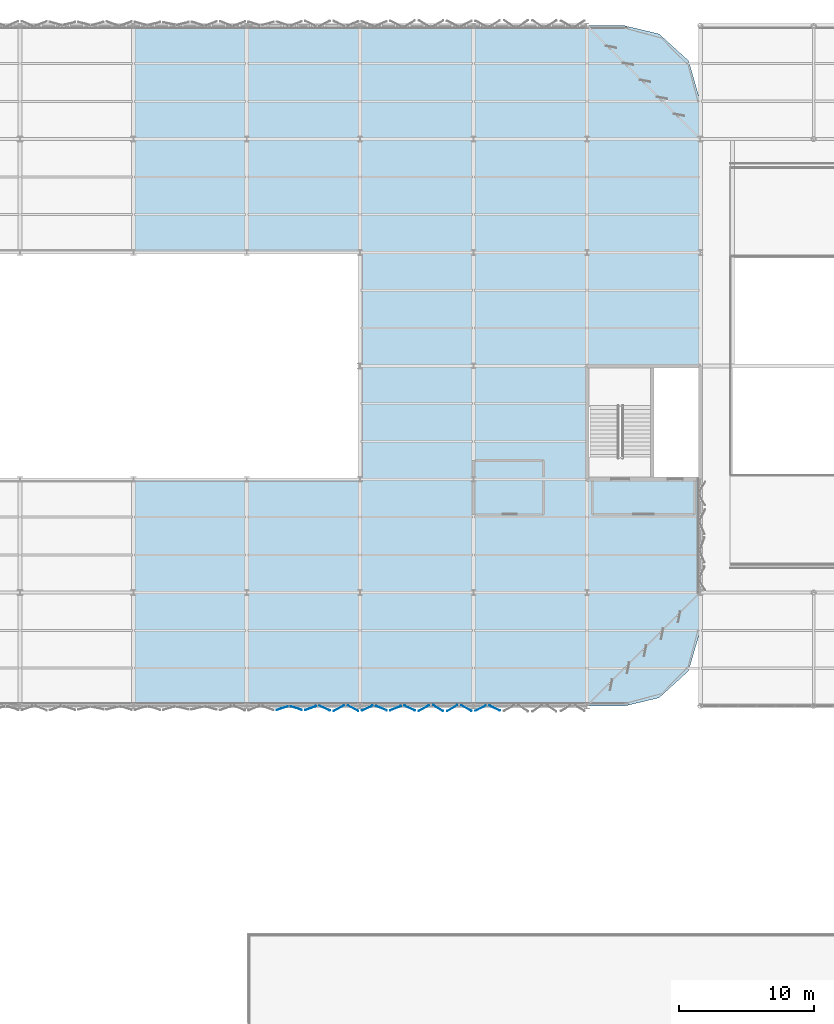
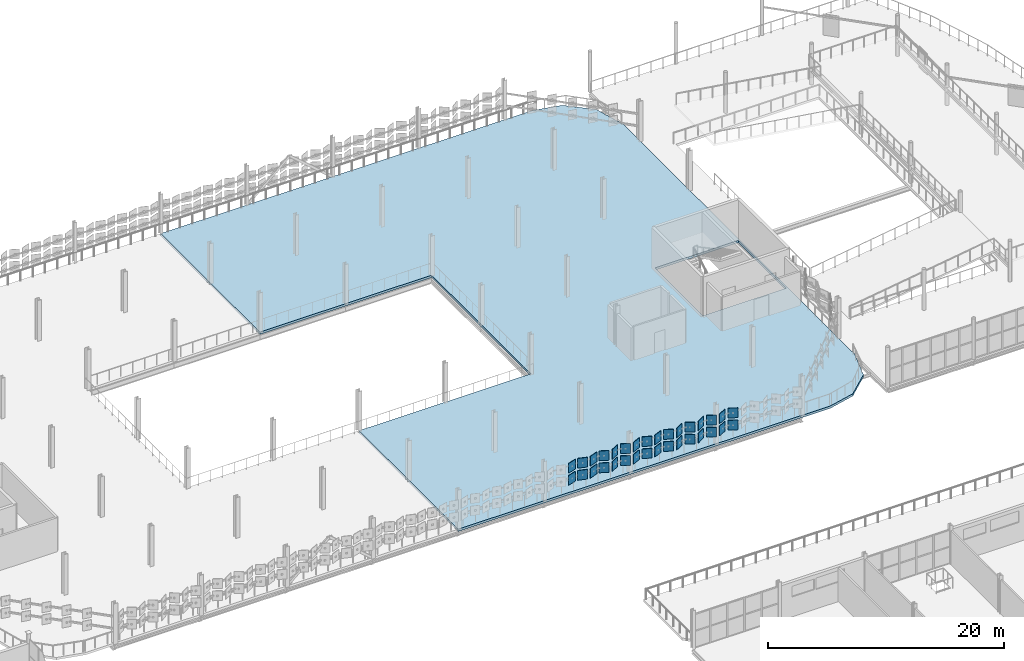
# One storey, part 145 of 184: 32 plates, 1 slab.
"""IFC4 building model written with IfcOpenShell, lengths in metres."""

from ifc_helpers import new_model, si_unit, direction, frame, origin, origin_2d, place, context, subcontext, project, spatial, polyline, rectangle, outline, extrude, material, layer, layer_set, type_object, element, save


model = new_model("IFC4")

# Units and contexts
model_context = context("Model", 3, precision=1e-05, world=origin(), true_north=direction((0.0, 1.0)))
body_context = subcontext(model_context, "Body", "Model", "MODEL_VIEW")
ifc_project = project(units=[si_unit("LENGTHUNIT", "METRE"), si_unit("AREAUNIT", "SQUARE_METRE"), si_unit("VOLUMEUNIT", "CUBIC_METRE"), si_unit("PLANEANGLEUNIT", "RADIAN"), si_unit("MASSUNIT", "GRAM", prefix="KILO")], contexts=[model_context])

# Site, building, storey
site_placement = place(None, origin())
site = spatial("IfcSite", under=ifc_project, at=site_placement, CompositionType="ELEMENT")
building_placement = place(site_placement, origin())
building = spatial("IfcBuilding", under=site, at=building_placement, Name="Qalvenar Corner Mobility Hub", CompositionType="ELEMENT")
storey_placement = place(building_placement, frame((0.0, 0.0, 9.0)))
storey = spatial("IfcBuildingStorey", under=building, at=storey_placement, Name="L02", CompositionType="ELEMENT", Elevation=9.0)

# Plates
ifc_material_1 = material(Name="Amber-Bronze Anodised Aluminium", Category="aluminium")
ifc_layer_1 = layer(ifc_material_1, 0.0380859375)
ifc_layer_set_1 = layer_set([ifc_layer_1], Name="Amber-Bronze Anodised Aluminium")
plate_type = type_object("IfcPlateType", Name="PLT-XC-L2-STD", PredefinedType="SHEET", material=ifc_layer_set_1)
for number, where, z_axis, x_axis, name in (
    (1, (111.824951171875, 67.0400390625, 1.0), (0.0, 0.0, 1.0), (0.951862260753, 0.306526078098, 0.0), "Hinged Facade Panel FP-L02-0445"),
    (2, (111.824951171875, 67.0400390625, 2.25), (0.0, 0.0, 1.0), (0.951862260753, 0.306526078098, 0.0), "Hinged Facade Panel FP-L02-0446"),
    (3, (112.875, 67.0400390625, 1.0), (0.0, 0.0, 1.0), (0.953348857629, -0.301870759858, 0.0), "Hinged Facade Panel FP-L02-0447"),
    (4, (112.875, 67.0400390625, 2.25), (0.0, 0.0, 1.0), (0.953348857629, -0.301870759858, 0.0), "Hinged Facade Panel FP-L02-0448"),
    (5, (113.925048828125, 67.0400390625, 1.0), (0.0, 0.0, 1.0), (0.938070461122, 0.346444526541, 0.0), "Hinged Facade Panel FP-L02-0449"),
    (6, (113.925048828125, 67.0400390625, 2.25), (0.0, 0.0, 1.0), (0.938070461122, 0.346444526541, 0.0), "Hinged Facade Panel FP-L02-0450"),
    (7, (114.97509765625, 67.0400390625, 1.0), (0.0, 0.0, 1.0), (0.910899836935, -0.412627540369, 0.0), "Hinged Facade Panel FP-L02-0451"),
    (8, (114.97509765625, 67.0400390625, 2.25), (0.0, 0.0, 1.0), (0.910899836935, -0.412627540369, 0.0), "Hinged Facade Panel FP-L02-0452"),
    (9, (116.02490234375, 67.0400390625, 1.0), (0.0, 0.0, 1.0), (0.889017141486, 0.457873915117, 0.0), "Hinged Facade Panel FP-L02-0453"),
    (10, (116.02490234375, 67.0400390625, 2.25), (0.0, 0.0, 1.0), (0.889017141486, 0.457873915117, 0.0), "Hinged Facade Panel FP-L02-0454"),
    (11, (117.074951171875, 67.0400390625, 1.0), (0.0, 0.0, 1.0), (0.889496138383, -0.456942687656, 0.0), "Hinged Facade Panel FP-L02-0455"),
    (12, (117.074951171875, 67.0400390625, 2.25), (0.0, 0.0, 1.0), (0.889496138383, -0.456942687656, 0.0), "Hinged Facade Panel FP-L02-0456"),
    (13, (118.125, 67.0400390625, 1.0), (0.0, 0.0, 1.0), (0.908362259055, 0.418184177516, 0.0), "Hinged Facade Panel FP-L02-0457"),
    (14, (118.125, 67.0400390625, 2.25), (0.0, 0.0, 1.0), (0.908362259055, 0.418184177516, 0.0), "Hinged Facade Panel FP-L02-0458"),
    (15, (119.175048828125, 67.0400390625, 1.0), (0.0, 0.0, 1.0), (0.926002419716, -0.377517574003, 0.0), "Hinged Facade Panel FP-L02-0459"),
    (16, (119.175048828125, 67.0400390625, 2.25), (0.0, 0.0, 1.0), (0.926002419716, -0.377517574003, 0.0), "Hinged Facade Panel FP-L02-0460"),
    (17, (120.22509765625, 67.0400390625, 1.0), (0.0, 0.0, 1.0), (0.927445153335, 0.373959205738, 0.0), "Hinged Facade Panel FP-L02-0461"),
    (18, (120.22509765625, 67.0400390625, 2.25), (0.0, 0.0, 1.0), (0.927445153335, 0.373959205738, 0.0), "Hinged Facade Panel FP-L02-0462"),
    (19, (121.27490234375, 67.0400390625, 1.0), (0.0, 0.0, 1.0), (0.908508177527, -0.417867073801, 0.0), "Hinged Facade Panel FP-L02-0463"),
    (20, (121.27490234375, 67.0400390625, 2.25), (0.0, 0.0, 1.0), (0.908508177527, -0.417867073801, 0.0), "Hinged Facade Panel FP-L02-0464"),
    (21, (122.324951171875, 67.0400390625, 1.0), (0.0, 0.0, 1.0), (0.876222584819, 0.481906611132, 0.0), "Hinged Facade Panel FP-L02-0465"),
    (22, (122.324951171875, 67.0400390625, 2.25), (0.0, 0.0, 1.0), (0.876222584819, 0.481906611132, 0.0), "Hinged Facade Panel FP-L02-0466"),
    (23, (123.375, 67.0400390625, 1.0), (0.0, 0.0, 1.0), (0.85136091544, -0.524580395803, 0.0), "Hinged Facade Panel FP-L02-0467"),
    (24, (123.375, 67.0400390625, 2.25), (0.0, 0.0, 1.0), (0.85136091544, -0.524580395803, 0.0), "Hinged Facade Panel FP-L02-0468"),
    (25, (124.425048828125, 67.0400390625, 1.0), (0.0, 0.0, 1.0), (0.85236646788, 0.522944934419, 0.0), "Hinged Facade Panel FP-L02-0469"),
    (26, (124.425048828125, 67.0400390625, 2.25), (0.0, 0.0, 1.0), (0.85236646788, 0.522944934419, 0.0), "Hinged Facade Panel FP-L02-0470"),
    (27, (125.47509765625, 67.0400390625, 1.0), (0.0, 0.0, 1.0), (0.874365741536, -0.485267503577, 0.0), "Hinged Facade Panel FP-L02-0471"),
    (28, (125.47509765625, 67.0400390625, 2.25), (0.0, 0.0, 1.0), (0.874365741536, -0.485267503577, 0.0), "Hinged Facade Panel FP-L02-0472"),
    (29, (126.52490234375, 67.0400390625, 1.0), (0.0, 0.0, 1.0), (0.894856471762, 0.446354001825, 0.0), "Hinged Facade Panel FP-L02-0473"),
    (30, (126.52490234375, 67.0400390625, 2.25), (0.0, 0.0, 1.0), (0.894856471762, 0.446354001825, 0.0), "Hinged Facade Panel FP-L02-0474"),
    (31, (127.574951171875, 67.0400390625, 1.0), (0.0, 0.0, 1.0), (0.896099436521, -0.443853354011, 0.0), "Hinged Facade Panel FP-L02-0475"),
    (32, (127.574951171875, 67.0400390625, 2.25), (0.0, 0.0, 1.0), (0.896099436521, -0.443853354011, 0.0), "Hinged Facade Panel FP-L02-0476"),
):
    element("IfcPlate", number, at=place(storey_placement, frame(where, z_axis=z_axis, x_axis=x_axis)), inside=storey, type_object=plate_type, Name=name, PredefinedType="SHEET", context=body_context, shape_type="SweptSolid", body=[
        extrude(rectangle(XDim=0.860107421875, YDim=0.0380859375, at=origin_2d()), origin(), (0.0, 0.0, 1.0), 1.0),
    ])

# Slab
ifc_material_2 = material(Name="Concrete C35/45", Category="concrete")
ifc_layer_2 = layer(ifc_material_2, 0.239990234375)
ifc_layer_set_2 = layer_set([ifc_layer_2], Name="Concrete C35/45")
slab_type = type_object("IfcSlabType", Name="SLB-COMP200", PredefinedType="FLOOR", material=ifc_layer_set_2)
slab_placement = place(storey_placement, frame((0.0, 0.0, -0.239990234375)))
element("IfcSlab", 33, at=slab_placement, inside=storey, type_object=slab_type, Name="Composite Deck V4-E-L02", PredefinedType="FLOOR", context=body_context, shape_type="SweptSolid", body=[
    extrude(outline(polyline([(100.800048828125, 67.199951171875), (137.199951171875, 67.199951171875), (139.7421875, 67.810302734375), (141.92822265625, 69.79931640625), (142.800048828125, 72.800048828125), (142.800048828125, 112.0), (141.92822265625, 115.00048828125), (139.7421875, 116.989501953125), (137.199951171875, 117.60009765625), (100.800048828125, 117.60009765625), (100.800048828125, 100.800048828125), (117.60009765625, 100.800048828125), (117.60009765625, 84.0), (100.800048828125, 84.0), (100.800048828125, 67.199951171875)]), holes=[polyline([(134.530029296875, 84.1298828125), (142.669921875, 84.1298828125), (142.669921875, 92.27001953125), (134.530029296875, 92.27001953125), (134.530029296875, 84.1298828125)])]), origin(), (0.0, 0.0, 1.0), 0.239990234375),
])

save(model, "model.ifc")
